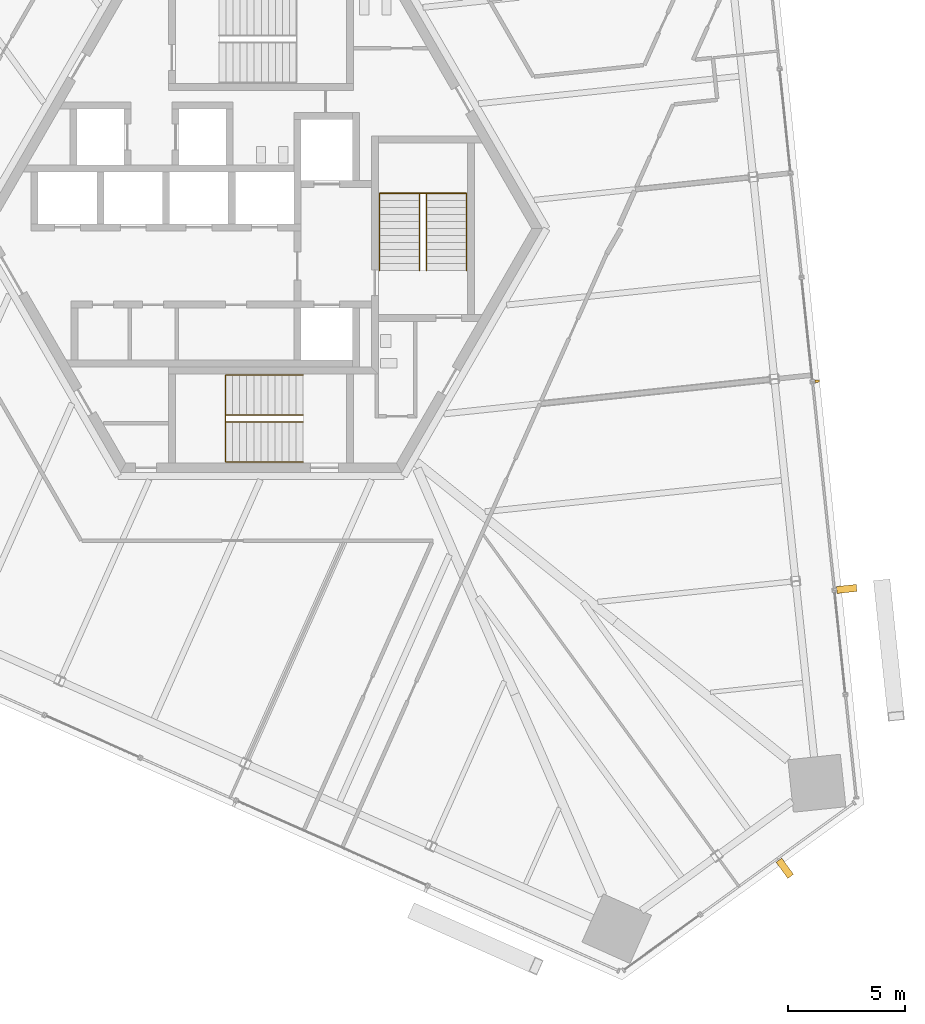
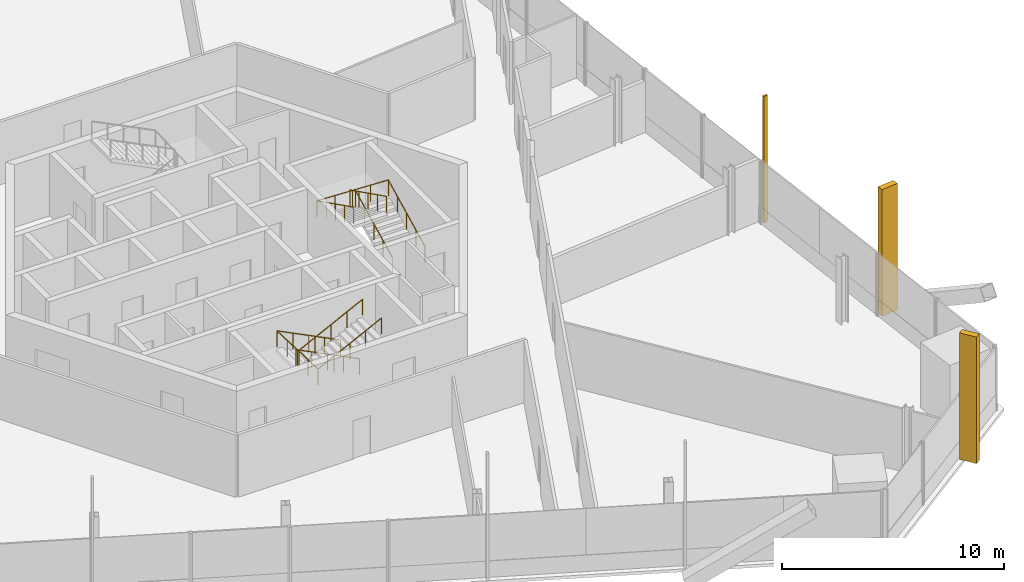
# One storey, part 16 of 21: 4 railings, 3 shading devices.
"""IFC4 building model written with IfcOpenShell, lengths in metres."""

from ifc_helpers import new_model, si_unit, direction, frame, origin, origin_2d, place, context, subcontext, project, spatial, rectangle, circle, extrude, source, transform, mapped, material, type_object, element, save


model = new_model("IFC4")

# Units and contexts
model_context = context("Model", 3, precision=1e-05, world=origin(), true_north=direction((0.0, 1.0)))
body_context = subcontext(model_context, "Body", "Model", "MODEL_VIEW")
ifc_project = project(units=[si_unit("LENGTHUNIT", "METRE"), si_unit("AREAUNIT", "SQUARE_METRE"), si_unit("VOLUMEUNIT", "CUBIC_METRE"), si_unit("PLANEANGLEUNIT", "RADIAN"), si_unit("MASSUNIT", "GRAM", prefix="KILO")], contexts=[model_context])

# Site, building, storey
site_placement = place(None, origin())
site = spatial("IfcSite", under=ifc_project, at=site_placement, CompositionType="ELEMENT")
building_placement = place(site_placement, origin())
building = spatial("IfcBuilding", under=site, at=building_placement, Name="Triune Harvest Tower", CompositionType="ELEMENT")
storey_placement = place(building_placement, frame((0.0, 0.0, 87.300048828125)))
storey = spatial("IfcBuildingStorey", under=building, at=storey_placement, Name="L21", CompositionType="ELEMENT", Elevation=87.300048828125)

# Railings
ifc_material_1 = material(Name="Stainless steel AISI 316", Category="steel")
railing_type = type_object("IfcRailingType", Name="Stair handrail", PredefinedType="HANDRAIL", material=ifc_material_1)
shared_shape_1 = source(origin(), body_context, "Body", "SweptSolid", [
    extrude(circle(Radius=0.02392578125, at=origin_2d()), frame((0.0, 0.0, 0.8759765625), z_axis=(-0.894413956696, 0.0, 0.447240063129), x_axis=(0.0, -1.0, 0.0)), (0.0, 0.0, 1.0), 3.689697265625),
    extrude(circle(Radius=0.02392578125, at=origin_2d()), frame((-3.300048828125, 0.0, 2.52587890625), z_axis=(0.0, -0.999180289278, 0.040481471304), x_axis=(1.0, 0.0, 0.0)), (0.0, 0.0, 1.0), 3.702880859375),
    extrude(circle(Radius=0.02392578125, at=origin_2d()), frame((-3.300048828125, -3.699951171875, 2.67578125), z_axis=(0.894440424912, 0.0, 0.447187126696), x_axis=(0.0, 1.0, 0.0)), (0.0, 0.0, 1.0), 3.689453125),
    extrude(circle(Radius=0.02099609375, at=origin_2d()), origin(), (0.0, 0.0, 1.0), 0.851806640625),
    extrude(circle(Radius=0.02099609375, at=origin_2d()), frame((-0.824951171875, 0.0, 0.41259765625)), (0.0, 0.0, 1.0), 0.851806640625),
    extrude(circle(Radius=0.02099609375, at=origin_2d()), frame((-1.64990234375, 0.0, 0.8251953125)), (0.0, 0.0, 1.0), 0.851806640625),
    extrude(circle(Radius=0.02099609375, at=origin_2d()), frame((-2.47509765625, 0.0, 1.237548828125)), (0.0, 0.0, 1.0), 0.851806640625),
    extrude(circle(Radius=0.02099609375, at=origin_2d()), frame((-3.300048828125, 0.0, 1.650146484375)), (0.0, 0.0, 1.0), 0.851806640625),
    extrude(circle(Radius=0.02099609375, at=origin_2d()), frame((-3.300048828125, -0.925048828125, 1.6875)), (0.0, 0.0, 1.0), 0.851806640625),
    extrude(circle(Radius=0.02099609375, at=origin_2d()), frame((-3.300048828125, -1.85009765625, 1.72509765625)), (0.0, 0.0, 1.0), 0.851806640625),
    extrude(circle(Radius=0.02099609375, at=origin_2d()), frame((-3.300048828125, -2.77490234375, 1.7626953125)), (0.0, 0.0, 1.0), 0.851806640625),
    extrude(circle(Radius=0.02099609375, at=origin_2d()), frame((-3.300048828125, -3.699951171875, 1.800048828125)), (0.0, 0.0, 1.0), 0.851806640625),
    extrude(circle(Radius=0.02099609375, at=origin_2d()), frame((-2.47509765625, -3.699951171875, 2.21240234375)), (0.0, 0.0, 1.0), 0.851806640625),
    extrude(circle(Radius=0.02099609375, at=origin_2d()), frame((-1.64990234375, -3.699951171875, 2.625)), (0.0, 0.0, 1.0), 0.851806640625),
    extrude(circle(Radius=0.02099609375, at=origin_2d()), frame((-0.824951171875, -3.699951171875, 3.03759765625)), (0.0, 0.0, 1.0), 0.851806640625),
    extrude(circle(Radius=0.02099609375, at=origin_2d()), frame((0.0, -3.699951171875, 3.449951171875)), (0.0, 0.0, 1.0), 0.851806640625),
])
railing_1_placement = place(storey_placement, frame((1.7900390625, -6.239990234375, 0.14990234375)))
element("IfcRailing", 1, at=railing_1_placement, inside=storey, type_object=railing_type, Name="Exit stair south wall handrail", PredefinedType="HANDRAIL", context=body_context, shape_type="MappedRepresentation", body=[
    mapped(shared_shape_1, transform((0.0, 0.0, 0.0), scale=1.0)),
])
shared_shape_2 = source(origin(), body_context, "Body", "SweptSolid", [
    extrude(circle(Radius=0.02392578125, at=origin_2d()), frame((0.0, 0.0, 0.8759765625), z_axis=(-0.894413956696, 0.0, 0.447240063129), x_axis=(0.0, -1.0, 0.0)), (0.0, 0.0, 1.0), 3.689697265625),
    extrude(circle(Radius=0.02392578125, at=origin_2d()), frame((-3.300048828125, 0.0, 2.52587890625), z_axis=(0.0, -0.894572720946, 0.446922417137), x_axis=(1.0, 0.0, 0.0)), (0.0, 0.0, 1.0), 0.33544921875),
    extrude(circle(Radius=0.02392578125, at=origin_2d()), frame((-3.300048828125, -0.300048828125, 2.67578125), z_axis=(0.894440424912, 0.0, 0.447187126696), x_axis=(0.0, 1.0, 0.0)), (0.0, 0.0, 1.0), 3.689453125),
    extrude(circle(Radius=0.02099609375, at=origin_2d()), origin(), (0.0, 0.0, 1.0), 0.851806640625),
    extrude(circle(Radius=0.02099609375, at=origin_2d()), frame((-0.824951171875, 0.0, 0.41259765625)), (0.0, 0.0, 1.0), 0.851806640625),
    extrude(circle(Radius=0.02099609375, at=origin_2d()), frame((-1.64990234375, 0.0, 0.8251953125)), (0.0, 0.0, 1.0), 0.851806640625),
    extrude(circle(Radius=0.02099609375, at=origin_2d()), frame((-2.47509765625, 0.0, 1.237548828125)), (0.0, 0.0, 1.0), 0.851806640625),
    extrude(circle(Radius=0.02099609375, at=origin_2d()), frame((-3.300048828125, 0.0, 1.650146484375)), (0.0, 0.0, 1.0), 0.851806640625),
    extrude(circle(Radius=0.02099609375, at=origin_2d()), frame((-3.300048828125, -0.300048828125, 1.800048828125)), (0.0, 0.0, 1.0), 0.851806640625),
    extrude(circle(Radius=0.02099609375, at=origin_2d()), frame((-2.47509765625, -0.300048828125, 2.21240234375)), (0.0, 0.0, 1.0), 0.851806640625),
    extrude(circle(Radius=0.02099609375, at=origin_2d()), frame((-1.64990234375, -0.300048828125, 2.625)), (0.0, 0.0, 1.0), 0.851806640625),
    extrude(circle(Radius=0.02099609375, at=origin_2d()), frame((-0.824951171875, -0.300048828125, 3.03759765625)), (0.0, 0.0, 1.0), 0.851806640625),
    extrude(circle(Radius=0.02099609375, at=origin_2d()), frame((0.0, -0.300048828125, 3.449951171875)), (0.0, 0.0, 1.0), 0.851806640625),
])
railing_2_placement = place(storey_placement, frame((1.7900390625, -7.93994140625, 0.14990234375)))
element("IfcRailing", 2, at=railing_2_placement, inside=storey, type_object=railing_type, Name="Exit stair south centre handrail", PredefinedType="HANDRAIL", context=body_context, shape_type="MappedRepresentation", body=[
    mapped(shared_shape_2, transform((0.0, 0.0, 0.0), scale=1.0)),
])
shared_shape_3 = source(origin(), body_context, "Body", "SweptSolid", [
    extrude(circle(Radius=0.02392578125, at=origin_2d()), frame((0.0, 0.0, 0.8759765625), z_axis=(0.0, 0.894413956696, 0.447240063129), x_axis=(-1.0, 0.0, 0.0)), (0.0, 0.0, 1.0), 3.689697265625),
    extrude(circle(Radius=0.02392578125, at=origin_2d()), frame((0.0, 3.300048828125, 2.52587890625), z_axis=(-0.999180289278, 0.0, 0.040481471304), x_axis=(0.0, -1.0, 0.0)), (0.0, 0.0, 1.0), 3.702880859375),
    extrude(circle(Radius=0.02392578125, at=origin_2d()), frame((-3.699951171875, 3.300048828125, 2.67578125), z_axis=(0.0, -0.894440424912, 0.447187126696), x_axis=(1.0, 0.0, 0.0)), (0.0, 0.0, 1.0), 3.689453125),
    extrude(circle(Radius=0.02099609375, at=origin_2d()), origin(), (0.0, 0.0, 1.0), 0.851806640625),
    extrude(circle(Radius=0.02099609375, at=origin_2d()), frame((0.0, 0.824951171875, 0.41259765625)), (0.0, 0.0, 1.0), 0.851806640625),
    extrude(circle(Radius=0.02099609375, at=origin_2d()), frame((0.0, 1.64990234375, 0.8251953125)), (0.0, 0.0, 1.0), 0.851806640625),
    extrude(circle(Radius=0.02099609375, at=origin_2d()), frame((0.0, 2.47509765625, 1.237548828125)), (0.0, 0.0, 1.0), 0.851806640625),
    extrude(circle(Radius=0.02099609375, at=origin_2d()), frame((0.0, 3.300048828125, 1.650146484375)), (0.0, 0.0, 1.0), 0.851806640625),
    extrude(circle(Radius=0.02099609375, at=origin_2d()), frame((-0.925048828125, 3.300048828125, 1.6875)), (0.0, 0.0, 1.0), 0.851806640625),
    extrude(circle(Radius=0.02099609375, at=origin_2d()), frame((-1.85009765625, 3.300048828125, 1.72509765625)), (0.0, 0.0, 1.0), 0.851806640625),
    extrude(circle(Radius=0.02099609375, at=origin_2d()), frame((-2.77490234375, 3.300048828125, 1.7626953125)), (0.0, 0.0, 1.0), 0.851806640625),
    extrude(circle(Radius=0.02099609375, at=origin_2d()), frame((-3.699951171875, 3.300048828125, 1.800048828125)), (0.0, 0.0, 1.0), 0.851806640625),
    extrude(circle(Radius=0.02099609375, at=origin_2d()), frame((-3.699951171875, 2.47509765625, 2.21240234375)), (0.0, 0.0, 1.0), 0.851806640625),
    extrude(circle(Radius=0.02099609375, at=origin_2d()), frame((-3.699951171875, 1.64990234375, 2.625)), (0.0, 0.0, 1.0), 0.851806640625),
    extrude(circle(Radius=0.02099609375, at=origin_2d()), frame((-3.699951171875, 0.824951171875, 3.03759765625)), (0.0, 0.0, 1.0), 0.851806640625),
    extrude(circle(Radius=0.02099609375, at=origin_2d()), frame((-3.699951171875, 0.0, 3.449951171875)), (0.0, 0.0, 1.0), 0.851806640625),
])
railing_3_placement = place(storey_placement, frame((8.75, -1.7900390625, 0.14990234375)))
element("IfcRailing", 3, at=railing_3_placement, inside=storey, type_object=railing_type, Name="Exit stair east wall handrail", PredefinedType="HANDRAIL", context=body_context, shape_type="MappedRepresentation", body=[
    mapped(shared_shape_3, transform((0.0, 0.0, 0.0), scale=1.0)),
])
shared_shape_4 = source(origin(), body_context, "Body", "SweptSolid", [
    extrude(circle(Radius=0.02392578125, at=origin_2d()), frame((0.0, 0.0, 0.8759765625), z_axis=(0.0, 0.894413956696, 0.447240063129), x_axis=(-1.0, 0.0, 0.0)), (0.0, 0.0, 1.0), 3.689697265625),
    extrude(circle(Radius=0.02392578125, at=origin_2d()), frame((0.0, 3.300048828125, 2.52587890625), z_axis=(-0.894572720946, 0.0, 0.446922417137), x_axis=(0.0, -1.0, 0.0)), (0.0, 0.0, 1.0), 0.33544921875),
    extrude(circle(Radius=0.02392578125, at=origin_2d()), frame((-0.300048828125, 3.300048828125, 2.67578125), z_axis=(0.0, -0.894440424912, 0.447187126696), x_axis=(1.0, 0.0, 0.0)), (0.0, 0.0, 1.0), 3.689453125),
    extrude(circle(Radius=0.02099609375, at=origin_2d()), origin(), (0.0, 0.0, 1.0), 0.851806640625),
    extrude(circle(Radius=0.02099609375, at=origin_2d()), frame((0.0, 0.824951171875, 0.41259765625)), (0.0, 0.0, 1.0), 0.851806640625),
    extrude(circle(Radius=0.02099609375, at=origin_2d()), frame((0.0, 1.64990234375, 0.8251953125)), (0.0, 0.0, 1.0), 0.851806640625),
    extrude(circle(Radius=0.02099609375, at=origin_2d()), frame((0.0, 2.47509765625, 1.237548828125)), (0.0, 0.0, 1.0), 0.851806640625),
    extrude(circle(Radius=0.02099609375, at=origin_2d()), frame((0.0, 3.300048828125, 1.650146484375)), (0.0, 0.0, 1.0), 0.851806640625),
    extrude(circle(Radius=0.02099609375, at=origin_2d()), frame((-0.300048828125, 3.300048828125, 1.800048828125)), (0.0, 0.0, 1.0), 0.851806640625),
    extrude(circle(Radius=0.02099609375, at=origin_2d()), frame((-0.300048828125, 2.47509765625, 2.21240234375)), (0.0, 0.0, 1.0), 0.851806640625),
    extrude(circle(Radius=0.02099609375, at=origin_2d()), frame((-0.300048828125, 1.64990234375, 2.625)), (0.0, 0.0, 1.0), 0.851806640625),
    extrude(circle(Radius=0.02099609375, at=origin_2d()), frame((-0.300048828125, 0.824951171875, 3.03759765625)), (0.0, 0.0, 1.0), 0.851806640625),
    extrude(circle(Radius=0.02099609375, at=origin_2d()), frame((-0.300048828125, 0.0, 3.449951171875)), (0.0, 0.0, 1.0), 0.851806640625),
])
railing_4_placement = place(storey_placement, frame((7.050048828125, -1.7900390625, 0.14990234375)))
element("IfcRailing", 4, at=railing_4_placement, inside=storey, type_object=railing_type, Name="Exit stair east centre handrail", PredefinedType="HANDRAIL", context=body_context, shape_type="MappedRepresentation", body=[
    mapped(shared_shape_4, transform((0.0, 0.0, 0.0), scale=1.0)),
])

# Shading devices
ifc_material_2 = material(Name="Aluminium bronze anodised", Category="aluminium")
shared_shape_5 = source(origin(), body_context, "Body", "SweptSolid", [
    extrude(rectangle(XDim=0.300048828125, YDim=0.85009765625, at=origin_2d()), origin(), (0.0, 0.0, 1.0), 6.949951171875),
])
for number, where, z_axis, x_axis, name in (
    (5, (24.964599609375, -15.35693359375, 0.0), (0.0, 0.0, 1.0), (-0.104527536558, 0.994521992769, 0.0), "FN-2 fin B2-F1.3 L21"),
    (6, (22.326904296875, -27.265380859375, 0.0), (0.0, 0.0, 1.0), (0.809013235692, 0.58779042564, 0.0), "FN-2 fin B2-F6.3 L21"),
):
    element("IfcShadingDevice", number, at=place(storey_placement, frame(where, z_axis=z_axis, x_axis=x_axis)), inside=storey, material=ifc_material_2, Name=name, ObjectType="FIN", PredefinedType="USERDEFINED", context=body_context, shape_type="MappedRepresentation", body=[
        mapped(shared_shape_5, transform((0.0, 0.0, 0.0), scale=1.0)),
    ])
shared_shape_6 = source(origin(), body_context, "Body", "SweptSolid", [
    extrude(rectangle(XDim=0.10009765625, YDim=0.199951171875, at=origin_2d()), origin(), (0.0, 0.0, 1.0), 6.949951171875),
])
shading_device_placement = place(storey_placement, frame((23.706787109375, -6.498779296875, 0.0), z_axis=(0.0, 0.0, 1.0), x_axis=(-0.104527536558, 0.994521992769, 0.0)))
element("IfcShadingDevice", 7, at=shading_device_placement, inside=storey, material=ifc_material_2, Name="FN-1 fin B2-F1.5 L21", ObjectType="FIN", PredefinedType="USERDEFINED", context=body_context, shape_type="MappedRepresentation", body=[
    mapped(shared_shape_6, transform((0.0, 0.0, 0.0), scale=1.0)),
])

save(model, "model.ifc")
